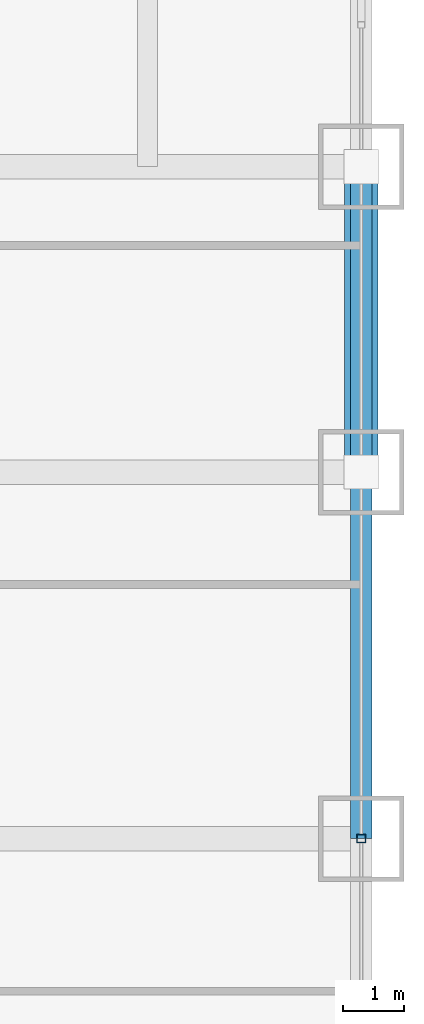
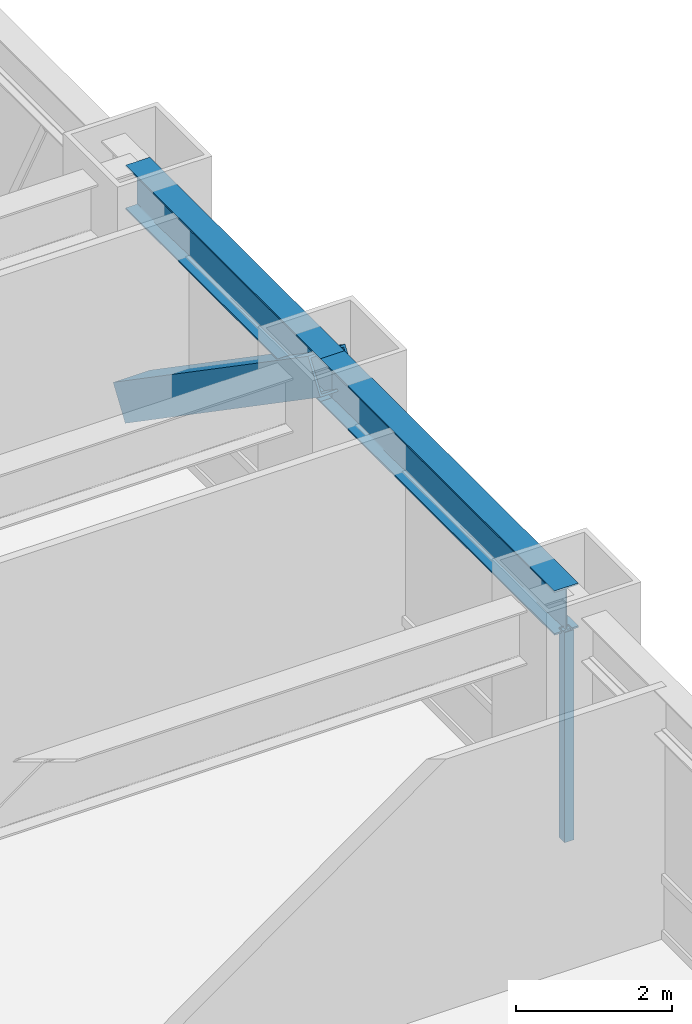
# One storey, part 14 of 32: 2 beams, 2 members, 1 element without a shape of its own.
"""IFC4 building model written with IfcOpenShell, lengths in metres."""

from ifc_helpers import new_model, si_unit, direction, frame, origin, origin_2d, place, context, subcontext, project, spatial, hollow_rectangle, i_section, extrude, source, transform, mapped, material, material_profile, profile_set, type_object, element, aggregate, save


model = new_model("IFC4")

# Units and contexts
model_context = context("Model", 3, precision=1e-05, world=origin(), true_north=direction((0.0, 1.0)))
body_context = subcontext(model_context, "Body", "Model", "MODEL_VIEW")
ifc_project = project(units=[si_unit("LENGTHUNIT", "METRE"), si_unit("AREAUNIT", "SQUARE_METRE"), si_unit("VOLUMEUNIT", "CUBIC_METRE"), si_unit("PLANEANGLEUNIT", "RADIAN"), si_unit("MASSUNIT", "GRAM", prefix="KILO")], contexts=[model_context])

# Site, building, storey
site_placement = place(None, origin())
site = spatial("IfcSite", under=ifc_project, at=site_placement, CompositionType="ELEMENT")
building_placement = place(site_placement, origin())
building = spatial("IfcBuilding", under=site, at=building_placement, Name="Khorayat Bourse Tower", CompositionType="ELEMENT")
storey_placement = place(building_placement, frame((0.0, 0.0, 74.60009765625)))
storey = spatial("IfcBuildingStorey", under=building, at=storey_placement, Name="L16", CompositionType="ELEMENT", Elevation=74.60009765625)

# Beams
ifc_material_1 = material(Name="Steel ASTM A992 Grade 50", Category="steel")
ifc_material_profile_1 = material_profile(ifc_material_1, i_section(OverallWidth=0.35498046875, OverallDepth=0.695068359375, WebThickness=0.015380859375, FlangeThickness=0.02490234375, FilletRadius=0.01806640625, at=origin_2d()), Name="W690X217")
ifc_profile_set_1 = profile_set([ifc_material_profile_1], Name="Steel ASTM A992 Grade 50")
beam_type = type_object("IfcBeamType", Name="BM-SPAN-690", PredefinedType="SPANDREL", material=ifc_profile_set_1)
shared_shape_1 = source(origin(), body_context, "Body", "SweptSolid", [
    extrude(i_section(OverallWidth=0.35498046875, OverallDepth=0.695068359375, WebThickness=0.015380859375, FlangeThickness=0.02490234375, FilletRadius=0.01806640625, at=origin_2d()), origin(), (0.0, 0.0, 1.0), 5.0),
])
beam_1_placement = place(storey_placement, frame((32.0, 6.0, 3.59228515625), z_axis=(0.0, 1.0, 0.0), x_axis=(-1.0, 0.0, 0.0)))
element("IfcBeam", 1, at=beam_1_placement, inside=storey, type_object=beam_type, Name="L16 BM-SPAN-690 BM-L16-SPN-039", PredefinedType="SPANDREL", context=body_context, shape_type="MappedRepresentation", body=[
    mapped(shared_shape_1, transform((0.0, 0.0, 0.0), scale=1.0)),
])
shared_shape_2 = source(origin(), body_context, "Body", "SweptSolid", [
    extrude(i_section(OverallWidth=0.35498046875, OverallDepth=0.695068359375, WebThickness=0.015380859375, FlangeThickness=0.02490234375, FilletRadius=0.01806640625, at=origin_2d()), origin(), (0.0, 0.0, 1.0), 6.0),
])
beam_2_placement = place(storey_placement, frame((32.0, 0.0, 3.59228515625), z_axis=(0.0, 1.0, 0.0), x_axis=(-1.0, 0.0, 0.0)))
element("IfcBeam", 2, at=beam_2_placement, inside=storey, type_object=beam_type, Name="L16 BM-SPAN-690 BM-L16-SPN-038", PredefinedType="SPANDREL", context=body_context, shape_type="MappedRepresentation", body=[
    mapped(shared_shape_2, transform((0.0, 0.0, 0.0), scale=1.0)),
])

# Member
ifc_material_2 = material(Name="Steel EN 10025-4 S460M", Category="steel")
ifc_material_profile_2 = material_profile(ifc_material_2, hollow_rectangle(XDim=0.550048828125, YDim=0.550048828125, WallThickness=0.031982421875, at=origin_2d()), Name="HSS 550x550x32")
ifc_profile_set_2 = profile_set([ifc_material_profile_2], Name="Steel EN 10025-4 S460M")
member_type_1 = type_object("IfcMemberType", Name="MBR-TUBE-550", PredefinedType="BRACE", material=ifc_profile_set_2)
shared_shape_3 = source(origin(), body_context, "Body", "SweptSolid", [
    extrude(hollow_rectangle(XDim=0.550048828125, YDim=0.550048828125, WallThickness=0.031982421875, at=origin_2d()), origin(), (0.0, 0.0, 1.0), 6.069091796875),
])
member_1_placement = place(storey_placement, frame((32.0, 6.0, 3.68994140625), z_axis=(0.0, 0.823854080622, -0.566801952928), x_axis=(-1.0, 0.0, 0.0)))
element("IfcMember", 3, at=member_1_placement, inside=storey, type_object=member_type_1, Name="L16 Perimeter Tube Brace 08", PredefinedType="BRACE", context=body_context, shape_type="MappedRepresentation", body=[
    mapped(shared_shape_3, transform((0.0, 0.0, 0.0), scale=1.0)),
])

# Curtain wall, member
ifc_material_3 = material(Name="Aluminium EN AW-6063 T6", Category="aluminium")
curtain_wall_type = type_object("IfcCurtainWallType", Name="CW-SYS-02", PredefinedType="NOTDEFINED", material=ifc_material_3)
curtain_wall_placement = place(storey_placement, origin())
curtain_wall = element("IfcCurtainWall", 4, at=curtain_wall_placement, inside=storey, type_object=curtain_wall_type, Name="L16 Curtain Wall CW-L16-E1", PredefinedType="NOTDEFINED")
ifc_material_profile_3 = material_profile(ifc_material_3, hollow_rectangle(XDim=0.139892578125, YDim=0.139892578125, WallThickness=0.006103515625, at=origin_2d()), Name="ALU 140x140x6")
ifc_profile_set_3 = profile_set([ifc_material_profile_3], Name="Aluminium EN AW-6063 T6")
member_type_2 = type_object("IfcMemberType", Name="CWM-VERT-140", PredefinedType="MULLION", material=ifc_profile_set_3)
shared_shape_4 = source(origin(), body_context, "Body", "SweptSolid", [
    extrude(hollow_rectangle(XDim=0.139892578125, YDim=0.139892578125, WallThickness=0.006103515625, at=origin_2d()), origin(), (0.0, 0.0, 1.0), 3.289794921875),
])
member_2_placement = place(storey_placement, frame((32.0, 0.0, 0.0), z_axis=(0.0, 0.0, 1.0), x_axis=(-1.0, 0.0, 0.0)))
member_2 = element("IfcMember", 5, at=member_2_placement, type_object=member_type_2, Name="CW-L16-E1 Vertical Mullion 2", PredefinedType="MULLION", context=body_context, shape_type="MappedRepresentation", body=[
    mapped(shared_shape_4, transform((0.0, 0.0, 0.0), scale=1.0)),
])
aggregate(curtain_wall, [member_2])

save(model, "model.ifc")
